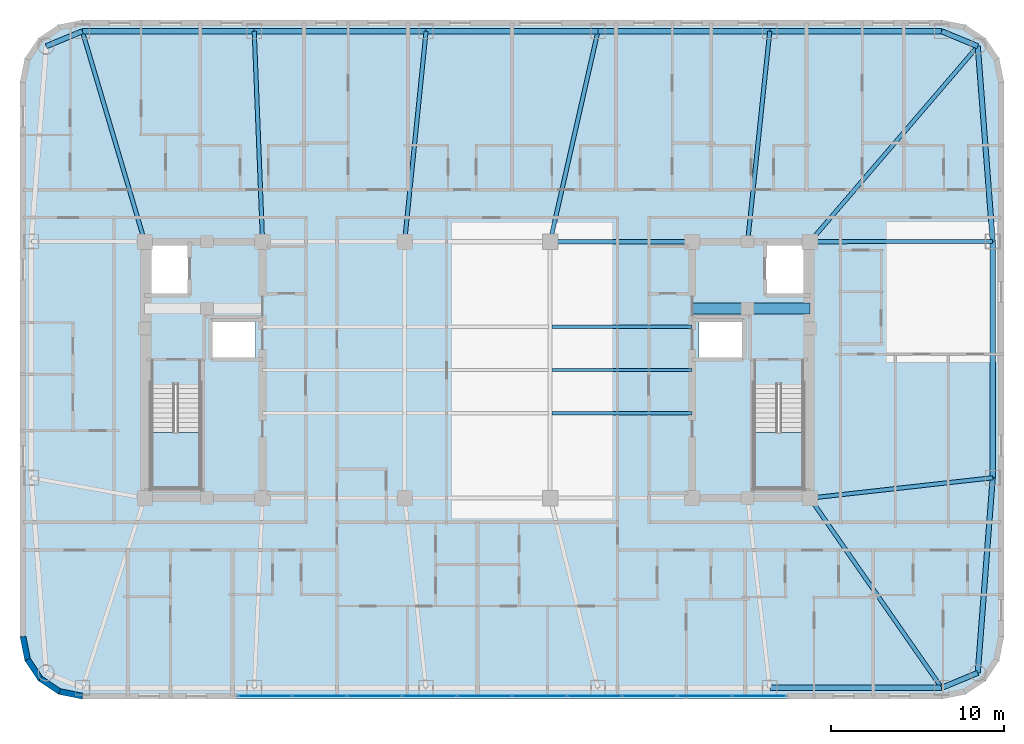
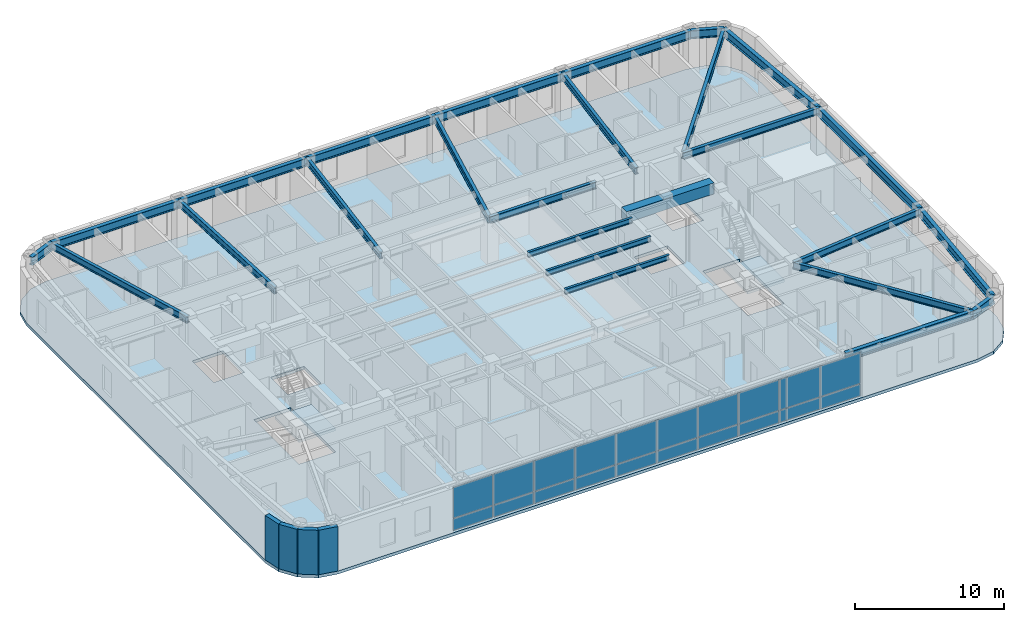
# One storey, part 7 of 16: 26 beams, 20 plates, 4 walls, 3 slabs, 3 elements without a shape of their own.
"""IFC4 building model written with IfcOpenShell, lengths in metres."""

from ifc_helpers import new_model, si_unit, direction, frame, frame_2d, origin, origin_2d, place, context, subcontext, project, spatial, polyline, rectangle, i_section, outline, extrude, material, layer, layer_set, material_profile, profile_set, type_object, element, aggregate, save


model = new_model("IFC4")

# Units and contexts
model_context = context("Model", 3, precision=1e-05, world=origin(), true_north=direction((0.0, 1.0)))
body_context = subcontext(model_context, "Body", "Model", "MODEL_VIEW")
ifc_project = project(units=[si_unit("LENGTHUNIT", "METRE"), si_unit("AREAUNIT", "SQUARE_METRE"), si_unit("VOLUMEUNIT", "CUBIC_METRE"), si_unit("PLANEANGLEUNIT", "RADIAN"), si_unit("MASSUNIT", "GRAM", prefix="KILO")], contexts=[model_context])

# Site, building, storey
site_placement = place(None, origin())
site = spatial("IfcSite", under=ifc_project, at=site_placement, CompositionType="ELEMENT")
building_placement = place(site_placement, origin())
building = spatial("IfcBuilding", under=site, at=building_placement, Name="Voryun Gate Residences", CompositionType="ELEMENT")
storey_placement = place(building_placement, frame((0.0, 0.0, 208.0)))
storey = spatial("IfcBuildingStorey", under=building, at=storey_placement, Name="L51", CompositionType="ELEMENT", Elevation=208.0)

# Beams
ifc_material_1 = material(Name="Concrete C60/75", Category="concrete")
ifc_material_profile_1 = material_profile(ifc_material_1, rectangle(XDim=0.64990234375, YDim=0.89990234375, at=origin_2d()), Name="RC-650x900")
ifc_profile_set_1 = profile_set([ifc_material_profile_1], Name="Concrete C60/75")
beam_type_1 = type_object("IfcBeamType", Name="BM_COUP_RC900", PredefinedType="LINTEL", material=ifc_profile_set_1)
beam_1_placement = place(storey_placement, frame((12.39990234375, 3.550048828125, 3.199951171875), z_axis=(1.0, 0.0, 0.0), x_axis=(0.0, 1.0, 0.0)))
element("IfcBeam", 1, at=beam_1_placement, inside=storey, type_object=beam_type_1, Name="BM-L51-EC1", PredefinedType="LINTEL", context=body_context, shape_type="SweptSolid", body=[
    extrude(rectangle(XDim=0.64990234375, YDim=0.89990234375, at=origin_2d()), origin(), (0.0, 0.0, 1.0), 6.800048828125),
])
ifc_material_2 = material(Name="Steel SM355", Category="steel")
ifc_material_profile_2 = material_profile(ifc_material_2, i_section(OverallWidth=0.300048828125, OverallDepth=0.679931640625, WebThickness=0.013916015625, FlangeThickness=0.02490234375, FilletRadius=0.01806640625, at=origin_2d()), Name="H-680x300x14x25")
ifc_profile_set_2 = profile_set([ifc_material_profile_2], Name="Steel SM355")
beam_type_2 = type_object("IfcBeamType", Name="BM_EXO_SPANDREL_M", PredefinedType="SPANDREL", material=ifc_profile_set_2)
beam_2_placement = place(storey_placement, frame((16.8798828125, -18.35009765625, 3.31005859375), z_axis=(1.0, 0.0, 0.0), x_axis=(0.0, 1.0, 0.0)))
element("IfcBeam", 2, at=beam_2_placement, inside=storey, type_object=beam_type_2, Name="BM-L51-SPAND-05", PredefinedType="SPANDREL", context=body_context, shape_type="SweptSolid", body=[
    extrude(i_section(OverallWidth=0.300048828125, OverallDepth=0.679931640625, WebThickness=0.013916015625, FlangeThickness=0.02490234375, FilletRadius=0.01806640625, at=origin_2d()), origin(), (0.0, 0.0, 1.0), 9.920166015625),
])
beam_3_placement = place(storey_placement, frame((26.800048828125, -18.35009765625, 3.31005859375), z_axis=(0.923881087602, 0.382679678022, 0.0), x_axis=(-0.382679678022, 0.923881087602, 0.0)))
element("IfcBeam", 3, at=beam_3_placement, inside=storey, type_object=beam_type_2, Name="BM-L51-SPAND-06", PredefinedType="SPANDREL", context=body_context, shape_type="SweptSolid", body=[
    extrude(i_section(OverallWidth=0.300048828125, OverallDepth=0.679931640625, WebThickness=0.013916015625, FlangeThickness=0.02490234375, FilletRadius=0.01806640625, at=origin_2d()), origin(), (0.0, 0.0, 1.0), 2.2578125),
])
beam_4_placement = place(storey_placement, frame((28.885986328125, -17.486083984375, 3.31005859375), z_axis=(0.076480009441, 0.997071114894, 0.0), x_axis=(-0.997071114894, 0.076480009441, 0.0)))
element("IfcBeam", 4, at=beam_4_placement, inside=storey, type_object=beam_type_2, Name="BM-L51-SPAND-07", PredefinedType="SPANDREL", context=body_context, shape_type="SweptSolid", body=[
    extrude(i_section(OverallWidth=0.300048828125, OverallDepth=0.679931640625, WebThickness=0.013916015625, FlangeThickness=0.02490234375, FilletRadius=0.01806640625, at=origin_2d()), origin(), (0.0, 0.0, 1.0), 11.29736328125),
])
beam_5_placement = place(storey_placement, frame((29.75, -6.221923828125, 3.31005859375), z_axis=(0.0, 1.0, 0.0), x_axis=(-1.0, 0.0, 0.0)))
element("IfcBeam", 5, at=beam_5_placement, inside=storey, type_object=beam_type_2, Name="BM-L51-SPAND-08", PredefinedType="SPANDREL", context=body_context, shape_type="SweptSolid", body=[
    extrude(i_section(OverallWidth=0.300048828125, OverallDepth=0.679931640625, WebThickness=0.013916015625, FlangeThickness=0.02490234375, FilletRadius=0.01806640625, at=origin_2d()), origin(), (0.0, 0.0, 1.0), 13.64404296875),
])
beam_6_placement = place(storey_placement, frame((29.75, 7.422119140625, 3.31005859375), z_axis=(-0.076481657417, 0.997070988485, 0.0), x_axis=(-0.997070988485, -0.076481657417, 0.0)))
element("IfcBeam", 6, at=beam_6_placement, inside=storey, type_object=beam_type_2, Name="BM-L51-SPAND-09", PredefinedType="SPANDREL", context=body_context, shape_type="SweptSolid", body=[
    extrude(i_section(OverallWidth=0.300048828125, OverallDepth=0.679931640625, WebThickness=0.013916015625, FlangeThickness=0.02490234375, FilletRadius=0.01806640625, at=origin_2d()), origin(), (0.0, 0.0, 1.0), 11.297119140625),
])
beam_7_placement = place(storey_placement, frame((28.885986328125, 18.68603515625, 3.31005859375), z_axis=(-0.923881087602, 0.382679678022, 0.0), x_axis=(-0.382679678022, -0.923881087602, 0.0)))
element("IfcBeam", 7, at=beam_7_placement, inside=storey, type_object=beam_type_2, Name="BM-L51-SPAND-10", PredefinedType="SPANDREL", context=body_context, shape_type="SweptSolid", body=[
    extrude(i_section(OverallWidth=0.300048828125, OverallDepth=0.679931640625, WebThickness=0.013916015625, FlangeThickness=0.02490234375, FilletRadius=0.01806640625, at=origin_2d()), origin(), (0.0, 0.0, 1.0), 2.2578125),
])
beam_8_placement = place(storey_placement, frame((26.800048828125, 19.550048828125, 3.31005859375), z_axis=(-1.0, 0.0, 0.0), x_axis=(0.0, -1.0, 0.0)))
element("IfcBeam", 8, at=beam_8_placement, inside=storey, type_object=beam_type_2, Name="BM-L51-SPAND-11", PredefinedType="SPANDREL", context=body_context, shape_type="SweptSolid", body=[
    extrude(i_section(OverallWidth=0.300048828125, OverallDepth=0.679931640625, WebThickness=0.013916015625, FlangeThickness=0.02490234375, FilletRadius=0.01806640625, at=origin_2d()), origin(), (0.0, 0.0, 1.0), 9.920166015625),
])
for number, where, z_axis, x_axis, name in (
    (9, (16.8798828125, 19.550048828125, 3.31005859375), (-1.0, 0.0, 0.0), (0.0, -1.0, 0.0), "BM-L51-SPAND-12"),
    (10, (6.9599609375, 19.550048828125, 3.31005859375), (-1.0, 0.0, 0.0), (0.0, -1.0, 0.0), "BM-L51-SPAND-13"),
    (11, (-2.9599609375, 19.550048828125, 3.31005859375), (-1.0, 0.0, 0.0), (0.0, -1.0, 0.0), "BM-L51-SPAND-14"),
):
    element("IfcBeam", number, at=place(storey_placement, frame(where, z_axis=z_axis, x_axis=x_axis)), inside=storey, type_object=beam_type_2, Name=name, PredefinedType="SPANDREL", context=body_context, shape_type="SweptSolid", body=[
        extrude(i_section(OverallWidth=0.300048828125, OverallDepth=0.679931640625, WebThickness=0.013916015625, FlangeThickness=0.02490234375, FilletRadius=0.01806640625, at=origin_2d()), origin(), (0.0, 0.0, 1.0), 9.919921875),
    ])
beam_9_placement = place(storey_placement, frame((-12.8798828125, 19.550048828125, 3.31005859375), z_axis=(-1.0, 0.0, 0.0), x_axis=(0.0, -1.0, 0.0)))
element("IfcBeam", 12, at=beam_9_placement, inside=storey, type_object=beam_type_2, Name="BM-L51-SPAND-15", PredefinedType="SPANDREL", context=body_context, shape_type="SweptSolid", body=[
    extrude(i_section(OverallWidth=0.300048828125, OverallDepth=0.679931640625, WebThickness=0.013916015625, FlangeThickness=0.02490234375, FilletRadius=0.01806640625, at=origin_2d()), origin(), (0.0, 0.0, 1.0), 9.920166015625),
])
beam_10_placement = place(storey_placement, frame((-22.800048828125, 19.550048828125, 3.31005859375), z_axis=(-0.923881087602, -0.382679678022, 0.0), x_axis=(0.382679678022, -0.923881087602, 0.0)))
element("IfcBeam", 13, at=beam_10_placement, inside=storey, type_object=beam_type_2, Name="BM-L51-SPAND-16", PredefinedType="SPANDREL", context=body_context, shape_type="SweptSolid", body=[
    extrude(i_section(OverallWidth=0.300048828125, OverallDepth=0.679931640625, WebThickness=0.013916015625, FlangeThickness=0.02490234375, FilletRadius=0.01806640625, at=origin_2d()), origin(), (0.0, 0.0, 1.0), 2.2578125),
])
ifc_material_3 = material(Name="Steel SM355", Category="steel")
ifc_material_profile_3 = material_profile(ifc_material_3, i_section(OverallWidth=0.239990234375, OverallDepth=0.550048828125, WebThickness=0.011962890625, FlangeThickness=0.02001953125, FilletRadius=0.01806640625, at=origin_2d()), Name="H-550x240x12x20")
ifc_profile_set_3 = profile_set([ifc_material_profile_3], Name="Steel SM355")
beam_type_3 = type_object("IfcBeamType", Name="BM_GIRD_550", PredefinedType="USERDEFINED", material=ifc_profile_set_3)
beam_11_placement = place(storey_placement, frame((4.199951171875, 7.39990234375, 3.375), z_axis=(1.0, 0.0, 0.0), x_axis=(0.0, 1.0, 0.0)))
element("IfcBeam", 14, at=beam_11_placement, inside=storey, type_object=beam_type_3, Name="BM-L51-SPG3-N", ObjectType="GIRDER", PredefinedType="USERDEFINED", context=body_context, shape_type="SweptSolid", body=[
    extrude(i_section(OverallWidth=0.239990234375, OverallDepth=0.550048828125, WebThickness=0.011962890625, FlangeThickness=0.02001953125, FilletRadius=0.01806640625, at=origin_2d()), origin(), (0.0, 0.0, 1.0), 8.199951171875),
])
beam_12_placement = place(storey_placement, frame((19.199951171875, -7.39990234375, 3.375), z_axis=(0.570182975489, -0.821517726201, 0.0), x_axis=(0.821517726201, 0.570182975489, 0.0)))
element("IfcBeam", 15, at=beam_12_placement, inside=storey, type_object=beam_type_3, Name="BM-L51-RAD-S6", ObjectType="GIRDER", PredefinedType="USERDEFINED", context=body_context, shape_type="SweptSolid", body=[
    extrude(i_section(OverallWidth=0.239990234375, OverallDepth=0.550048828125, WebThickness=0.011962890625, FlangeThickness=0.02001953125, FilletRadius=0.01806640625, at=origin_2d()), origin(), (0.0, 0.0, 1.0), 13.329345703125),
])
beam_13_placement = place(storey_placement, frame((19.199951171875, -7.39990234375, 3.375), z_axis=(0.993824131675, 0.110966640486, 0.0), x_axis=(-0.110966640486, 0.993824131675, 0.0)))
element("IfcBeam", 16, at=beam_13_placement, inside=storey, type_object=beam_type_3, Name="BM-L51-RAD-E1", ObjectType="GIRDER", PredefinedType="USERDEFINED", context=body_context, shape_type="SweptSolid", body=[
    extrude(i_section(OverallWidth=0.239990234375, OverallDepth=0.550048828125, WebThickness=0.011962890625, FlangeThickness=0.02001953125, FilletRadius=0.01806640625, at=origin_2d()), origin(), (0.0, 0.0, 1.0), 10.61572265625),
])
beam_14_placement = place(storey_placement, frame((19.199951171875, 7.39990234375, 3.375), z_axis=(0.99999778271, 0.002105843108, 0.0), x_axis=(-0.002105843108, 0.99999778271, 0.0)))
element("IfcBeam", 17, at=beam_14_placement, inside=storey, type_object=beam_type_3, Name="BM-L51-RAD-E2", ObjectType="GIRDER", PredefinedType="USERDEFINED", context=body_context, shape_type="SweptSolid", body=[
    extrude(i_section(OverallWidth=0.239990234375, OverallDepth=0.550048828125, WebThickness=0.011962890625, FlangeThickness=0.02001953125, FilletRadius=0.01806640625, at=origin_2d()), origin(), (0.0, 0.0, 1.0), 10.550048828125),
])
beam_15_placement = place(storey_placement, frame((19.199951171875, 7.39990234375, 3.375), z_axis=(0.651264396721, 0.758850898111, 0.0), x_axis=(-0.758850898111, 0.651264396721, 0.0)))
element("IfcBeam", 18, at=beam_15_placement, inside=storey, type_object=beam_type_3, Name="BM-L51-RAD-CNE", ObjectType="GIRDER", PredefinedType="USERDEFINED", context=body_context, shape_type="SweptSolid", body=[
    extrude(i_section(OverallWidth=0.239990234375, OverallDepth=0.550048828125, WebThickness=0.011962890625, FlangeThickness=0.02001953125, FilletRadius=0.01806640625, at=origin_2d()), origin(), (0.0, 0.0, 1.0), 14.87255859375),
])
beam_16_placement = place(storey_placement, frame((15.60009765625, 7.39990234375, 3.375), z_axis=(0.104751358085, 0.994498442925, 0.0), x_axis=(-0.994498442925, 0.104751358085, 0.0)))
element("IfcBeam", 19, at=beam_16_placement, inside=storey, type_object=beam_type_3, Name="BM-L51-RAD-N2", ObjectType="GIRDER", PredefinedType="USERDEFINED", context=body_context, shape_type="SweptSolid", body=[
    extrude(i_section(OverallWidth=0.239990234375, OverallDepth=0.550048828125, WebThickness=0.011962890625, FlangeThickness=0.02001953125, FilletRadius=0.01806640625, at=origin_2d()), origin(), (0.0, 0.0, 1.0), 12.21728515625),
])
beam_17_placement = place(storey_placement, frame((4.199951171875, 7.39990234375, 3.375), z_axis=(0.221515238368, 0.975156910026, 0.0), x_axis=(-0.975156910026, 0.221515238368, 0.0)))
element("IfcBeam", 20, at=beam_17_placement, inside=storey, type_object=beam_type_3, Name="BM-L51-RAD-N3", ObjectType="GIRDER", PredefinedType="USERDEFINED", context=body_context, shape_type="SweptSolid", body=[
    extrude(i_section(OverallWidth=0.239990234375, OverallDepth=0.550048828125, WebThickness=0.011962890625, FlangeThickness=0.02001953125, FilletRadius=0.01806640625, at=origin_2d()), origin(), (0.0, 0.0, 1.0), 12.459716796875),
])
beam_18_placement = place(storey_placement, frame((-4.199951171875, 7.39990234375, 3.375), z_axis=(0.101528223047, 0.994832659257, 0.0), x_axis=(-0.994832659257, 0.101528223047, 0.0)))
element("IfcBeam", 21, at=beam_18_placement, inside=storey, type_object=beam_type_3, Name="BM-L51-RAD-N4", ObjectType="GIRDER", PredefinedType="USERDEFINED", context=body_context, shape_type="SweptSolid", body=[
    extrude(i_section(OverallWidth=0.239990234375, OverallDepth=0.550048828125, WebThickness=0.011962890625, FlangeThickness=0.02001953125, FilletRadius=0.01806640625, at=origin_2d()), origin(), (0.0, 0.0, 1.0), 12.213134765625),
])
beam_19_placement = place(storey_placement, frame((-12.39990234375, 7.39990234375, 3.375), z_axis=(-0.039473300578, 0.999220625558, 0.0), x_axis=(-0.999220625558, -0.039473300578, 0.0)))
element("IfcBeam", 22, at=beam_19_placement, inside=storey, type_object=beam_type_3, Name="BM-L51-RAD-N5", ObjectType="GIRDER", PredefinedType="USERDEFINED", context=body_context, shape_type="SweptSolid", body=[
    extrude(i_section(OverallWidth=0.239990234375, OverallDepth=0.550048828125, WebThickness=0.011962890625, FlangeThickness=0.02001953125, FilletRadius=0.01806640625, at=origin_2d()), origin(), (0.0, 0.0, 1.0), 12.15966796875),
])
beam_20_placement = place(storey_placement, frame((-19.199951171875, 7.39990234375, 3.375), z_axis=(-0.284092265434, 0.958796946553, 0.0), x_axis=(-0.958796946553, -0.284092265434, 0.0)))
element("IfcBeam", 23, at=beam_20_placement, inside=storey, type_object=beam_type_3, Name="BM-L51-RAD-N6", ObjectType="GIRDER", PredefinedType="USERDEFINED", context=body_context, shape_type="SweptSolid", body=[
    extrude(i_section(OverallWidth=0.239990234375, OverallDepth=0.550048828125, WebThickness=0.011962890625, FlangeThickness=0.02001953125, FilletRadius=0.01806640625, at=origin_2d()), origin(), (0.0, 0.0, 1.0), 12.67236328125),
])
ifc_material_4 = material(Name="Steel SM355", Category="steel")
ifc_material_profile_4 = material_profile(ifc_material_4, i_section(OverallWidth=0.18994140625, OverallDepth=0.419921875, WebThickness=0.009033203125, FlangeThickness=0.01611328125, FilletRadius=0.01806640625, at=origin_2d()), Name="H-420x190x9x16")
ifc_profile_set_4 = profile_set([ifc_material_profile_4], Name="Steel SM355")
beam_type_4 = type_object("IfcBeamType", Name="BM_SEC_420", PredefinedType="BEAM", material=ifc_profile_set_4)
for number, where, z_axis, x_axis, name in (
    (24, (4.300048828125, -2.5, 3.43994140625), (1.0, 0.0, 0.0), (0.0, 1.0, 0.0), "BM-L51-SEC-CS3"),
    (25, (4.300048828125, 0.0, 3.43994140625), (1.0, 0.0, 0.0), (0.0, 1.0, 0.0), "BM-L51-SEC-CM3"),
    (26, (4.300048828125, 2.5, 3.43994140625), (1.0, 0.0, 0.0), (0.0, 1.0, 0.0), "BM-L51-SEC-CN3"),
):
    element("IfcBeam", number, at=place(storey_placement, frame(where, z_axis=z_axis, x_axis=x_axis)), inside=storey, type_object=beam_type_4, Name=name, PredefinedType="BEAM", context=body_context, shape_type="SweptSolid", body=[
        extrude(i_section(OverallWidth=0.18994140625, OverallDepth=0.419921875, WebThickness=0.009033203125, FlangeThickness=0.01611328125, FilletRadius=0.01806640625, at=origin_2d()), origin(), (0.0, 0.0, 1.0), 8.099853515625),
    ])

# Curtain wall, plates
ifc_material_5 = material(Name="Anodised aluminium", Category="aluminium")
ifc_layer_1 = layer(ifc_material_5, 0.2099609375, Name="CW_SYS_SKYGARDEN_DARK_GLASS")
ifc_layer_set_1 = layer_set([ifc_layer_1], Name="Anodised aluminium")
curtain_wall_type = type_object("IfcCurtainWallType", Name="CW_SYS_SKYGARDEN_DARK_GLASS", PredefinedType="NOTDEFINED", material=ifc_layer_set_1)
curtain_wall_placement = place(storey_placement, origin())
curtain_wall = element("IfcCurtainWall", 27, at=curtain_wall_placement, inside=storey, type_object=curtain_wall_type, Name="Curtain wall CW5-L51-SG-01", PredefinedType="NOTDEFINED")
ifc_material_6 = material(Name="Laminated low-E glass", Category="glass")
ifc_layer_2 = layer(ifc_material_6, 0.0458984375, Name="PLT_GLASS_DARK_SKY")
ifc_layer_set_2 = layer_set([ifc_layer_2], Name="Laminated low-E glass")
plate_type = type_object("IfcPlateType", Name="PLT_GLASS_DARK_SKY", PredefinedType="CURTAIN_PANEL", material=ifc_layer_set_2)
plate_1_placement = place(storey_placement, frame((16.26025390625, -18.830078125, 0.06005859375), z_axis=(0.0, 0.0, 1.0), x_axis=(-1.0, 0.0, 0.0)))
plate_1 = element("IfcPlate", 28, at=plate_1_placement, type_object=plate_type, Name="CW5 panel 1.1", PredefinedType="CURTAIN_PANEL", context=body_context, shape_type="SweptSolid", body=[
    extrude(rectangle(XDim=3.082275390625, YDim=0.028076171875, at=origin_2d()), origin(), (0.0, 0.0, 1.0), 0.9599609375),
])
plate_2_placement = place(storey_placement, frame((16.26025390625, -18.830078125, 1.080078125), z_axis=(0.0, 0.0, 1.0), x_axis=(-1.0, 0.0, 0.0)))
plate_2 = element("IfcPlate", 29, at=plate_2_placement, type_object=plate_type, Name="CW5 panel 1.2", PredefinedType="CURTAIN_PANEL", context=body_context, shape_type="SweptSolid", body=[
    extrude(rectangle(XDim=3.082275390625, YDim=0.028076171875, at=origin_2d()), origin(), (0.0, 0.0, 1.0), 2.510009765625),
])
plate_3_placement = place(storey_placement, frame((13.10302734375, -18.830078125, 0.06005859375), z_axis=(0.0, 0.0, 1.0), x_axis=(-1.0, 0.0, 0.0)))
plate_3 = element("IfcPlate", 30, at=plate_3_placement, type_object=plate_type, Name="CW5 panel 2.1", PredefinedType="CURTAIN_PANEL", context=body_context, shape_type="SweptSolid", body=[
    extrude(rectangle(XDim=3.1123046875, YDim=0.028076171875, at=origin_2d()), origin(), (0.0, 0.0, 1.0), 0.9599609375),
])
plate_4_placement = place(storey_placement, frame((13.10302734375, -18.830078125, 1.080078125), z_axis=(0.0, 0.0, 1.0), x_axis=(-1.0, 0.0, 0.0)))
plate_4 = element("IfcPlate", 31, at=plate_4_placement, type_object=plate_type, Name="CW5 panel 2.2", PredefinedType="CURTAIN_PANEL", context=body_context, shape_type="SweptSolid", body=[
    extrude(rectangle(XDim=3.1123046875, YDim=0.028076171875, at=origin_2d()), origin(), (0.0, 0.0, 1.0), 2.510009765625),
])
plate_5_placement = place(storey_placement, frame((9.9306640625, -18.830078125, 0.06005859375), z_axis=(0.0, 0.0, 1.0), x_axis=(-1.0, 0.0, 0.0)))
plate_5 = element("IfcPlate", 32, at=plate_5_placement, type_object=plate_type, Name="CW5 panel 3.1", PredefinedType="CURTAIN_PANEL", context=body_context, shape_type="SweptSolid", body=[
    extrude(rectangle(XDim=3.1123046875, YDim=0.028076171875, at=origin_2d()), origin(), (0.0, 0.0, 1.0), 0.9599609375),
])
plate_6_placement = place(storey_placement, frame((9.9306640625, -18.830078125, 1.080078125), z_axis=(0.0, 0.0, 1.0), x_axis=(-1.0, 0.0, 0.0)))
plate_6 = element("IfcPlate", 33, at=plate_6_placement, type_object=plate_type, Name="CW5 panel 3.2", PredefinedType="CURTAIN_PANEL", context=body_context, shape_type="SweptSolid", body=[
    extrude(rectangle(XDim=3.1123046875, YDim=0.028076171875, at=origin_2d()), origin(), (0.0, 0.0, 1.0), 2.510009765625),
])
plate_7_placement = place(storey_placement, frame((6.75830078125, -18.830078125, 0.06005859375), z_axis=(0.0, 0.0, 1.0), x_axis=(-1.0, 0.0, 0.0)))
plate_7 = element("IfcPlate", 34, at=plate_7_placement, type_object=plate_type, Name="CW5 panel 4.1", PredefinedType="CURTAIN_PANEL", context=body_context, shape_type="SweptSolid", body=[
    extrude(rectangle(XDim=3.1123046875, YDim=0.028076171875, at=origin_2d()), origin(), (0.0, 0.0, 1.0), 0.9599609375),
])
plate_8_placement = place(storey_placement, frame((6.75830078125, -18.830078125, 1.080078125), z_axis=(0.0, 0.0, 1.0), x_axis=(-1.0, 0.0, 0.0)))
plate_8 = element("IfcPlate", 35, at=plate_8_placement, type_object=plate_type, Name="CW5 panel 4.2", PredefinedType="CURTAIN_PANEL", context=body_context, shape_type="SweptSolid", body=[
    extrude(rectangle(XDim=3.1123046875, YDim=0.028076171875, at=origin_2d()), origin(), (0.0, 0.0, 1.0), 2.510009765625),
])
plate_9_placement = place(storey_placement, frame((3.586181640625, -18.830078125, 0.06005859375), z_axis=(0.0, 0.0, 1.0), x_axis=(-1.0, 0.0, 0.0)))
plate_9 = element("IfcPlate", 36, at=plate_9_placement, type_object=plate_type, Name="CW5 panel 5.1", PredefinedType="CURTAIN_PANEL", context=body_context, shape_type="SweptSolid", body=[
    extrude(rectangle(XDim=3.1123046875, YDim=0.028076171875, at=origin_2d()), origin(), (0.0, 0.0, 1.0), 0.9599609375),
])
plate_10_placement = place(storey_placement, frame((3.586181640625, -18.830078125, 1.080078125), z_axis=(0.0, 0.0, 1.0), x_axis=(-1.0, 0.0, 0.0)))
plate_10 = element("IfcPlate", 37, at=plate_10_placement, type_object=plate_type, Name="CW5 panel 5.2", PredefinedType="CURTAIN_PANEL", context=body_context, shape_type="SweptSolid", body=[
    extrude(rectangle(XDim=3.1123046875, YDim=0.028076171875, at=origin_2d()), origin(), (0.0, 0.0, 1.0), 2.510009765625),
])
plate_11_placement = place(storey_placement, frame((0.413818359375, -18.830078125, 0.06005859375), z_axis=(0.0, 0.0, 1.0), x_axis=(-1.0, 0.0, 0.0)))
plate_11 = element("IfcPlate", 38, at=plate_11_placement, type_object=plate_type, Name="CW5 panel 6.1", PredefinedType="CURTAIN_PANEL", context=body_context, shape_type="SweptSolid", body=[
    extrude(rectangle(XDim=3.1123046875, YDim=0.028076171875, at=origin_2d()), origin(), (0.0, 0.0, 1.0), 0.9599609375),
])
plate_12_placement = place(storey_placement, frame((0.413818359375, -18.830078125, 1.080078125), z_axis=(0.0, 0.0, 1.0), x_axis=(-1.0, 0.0, 0.0)))
plate_12 = element("IfcPlate", 39, at=plate_12_placement, type_object=plate_type, Name="CW5 panel 6.2", PredefinedType="CURTAIN_PANEL", context=body_context, shape_type="SweptSolid", body=[
    extrude(rectangle(XDim=3.1123046875, YDim=0.028076171875, at=origin_2d()), origin(), (0.0, 0.0, 1.0), 2.510009765625),
])
plate_13_placement = place(storey_placement, frame((-2.75830078125, -18.830078125, 0.06005859375), z_axis=(0.0, 0.0, 1.0), x_axis=(-1.0, 0.0, 0.0)))
plate_13 = element("IfcPlate", 40, at=plate_13_placement, type_object=plate_type, Name="CW5 panel 7.1", PredefinedType="CURTAIN_PANEL", context=body_context, shape_type="SweptSolid", body=[
    extrude(rectangle(XDim=3.1123046875, YDim=0.028076171875, at=origin_2d()), origin(), (0.0, 0.0, 1.0), 0.9599609375),
])
plate_14_placement = place(storey_placement, frame((-2.75830078125, -18.830078125, 1.080078125), z_axis=(0.0, 0.0, 1.0), x_axis=(-1.0, 0.0, 0.0)))
plate_14 = element("IfcPlate", 41, at=plate_14_placement, type_object=plate_type, Name="CW5 panel 7.2", PredefinedType="CURTAIN_PANEL", context=body_context, shape_type="SweptSolid", body=[
    extrude(rectangle(XDim=3.1123046875, YDim=0.028076171875, at=origin_2d()), origin(), (0.0, 0.0, 1.0), 2.510009765625),
])
plate_15_placement = place(storey_placement, frame((-5.9306640625, -18.830078125, 0.06005859375), z_axis=(0.0, 0.0, 1.0), x_axis=(-1.0, 0.0, 0.0)))
plate_15 = element("IfcPlate", 42, at=plate_15_placement, type_object=plate_type, Name="CW5 panel 8.1", PredefinedType="CURTAIN_PANEL", context=body_context, shape_type="SweptSolid", body=[
    extrude(rectangle(XDim=3.1123046875, YDim=0.028076171875, at=origin_2d()), origin(), (0.0, 0.0, 1.0), 0.9599609375),
])
plate_16_placement = place(storey_placement, frame((-5.9306640625, -18.830078125, 1.080078125), z_axis=(0.0, 0.0, 1.0), x_axis=(-1.0, 0.0, 0.0)))
plate_16 = element("IfcPlate", 43, at=plate_16_placement, type_object=plate_type, Name="CW5 panel 8.2", PredefinedType="CURTAIN_PANEL", context=body_context, shape_type="SweptSolid", body=[
    extrude(rectangle(XDim=3.1123046875, YDim=0.028076171875, at=origin_2d()), origin(), (0.0, 0.0, 1.0), 2.510009765625),
])
plate_17_placement = place(storey_placement, frame((-9.10302734375, -18.830078125, 0.06005859375), z_axis=(0.0, 0.0, 1.0), x_axis=(-1.0, 0.0, 0.0)))
plate_17 = element("IfcPlate", 44, at=plate_17_placement, type_object=plate_type, Name="CW5 panel 9.1", PredefinedType="CURTAIN_PANEL", context=body_context, shape_type="SweptSolid", body=[
    extrude(rectangle(XDim=3.1123046875, YDim=0.028076171875, at=origin_2d()), origin(), (0.0, 0.0, 1.0), 0.9599609375),
])
plate_18_placement = place(storey_placement, frame((-9.10302734375, -18.830078125, 1.080078125), z_axis=(0.0, 0.0, 1.0), x_axis=(-1.0, 0.0, 0.0)))
plate_18 = element("IfcPlate", 45, at=plate_18_placement, type_object=plate_type, Name="CW5 panel 9.2", PredefinedType="CURTAIN_PANEL", context=body_context, shape_type="SweptSolid", body=[
    extrude(rectangle(XDim=3.1123046875, YDim=0.028076171875, at=origin_2d()), origin(), (0.0, 0.0, 1.0), 2.510009765625),
])
plate_19_placement = place(storey_placement, frame((-12.26025390625, -18.830078125, 0.06005859375), z_axis=(0.0, 0.0, 1.0), x_axis=(-1.0, 0.0, 0.0)))
plate_19 = element("IfcPlate", 46, at=plate_19_placement, type_object=plate_type, Name="CW5 panel 10.1", PredefinedType="CURTAIN_PANEL", context=body_context, shape_type="SweptSolid", body=[
    extrude(rectangle(XDim=3.082275390625, YDim=0.028076171875, at=origin_2d()), origin(), (0.0, 0.0, 1.0), 0.9599609375),
])
plate_20_placement = place(storey_placement, frame((-12.26025390625, -18.830078125, 1.080078125), z_axis=(0.0, 0.0, 1.0), x_axis=(-1.0, 0.0, 0.0)))
plate_20 = element("IfcPlate", 47, at=plate_20_placement, type_object=plate_type, Name="CW5 panel 10.2", PredefinedType="CURTAIN_PANEL", context=body_context, shape_type="SweptSolid", body=[
    extrude(rectangle(XDim=3.082275390625, YDim=0.028076171875, at=origin_2d()), origin(), (0.0, 0.0, 1.0), 2.510009765625),
])
aggregate(curtain_wall, [plate_1, plate_2, plate_3, plate_4, plate_5, plate_6, plate_7, plate_8, plate_9, plate_10, plate_11, plate_12, plate_13, plate_14, plate_15, plate_16, plate_17, plate_18, plate_19, plate_20])

# Slab
ifc_material_7 = material(Name="Concrete C40/50", Category="concrete")
ifc_layer_3 = layer(ifc_material_7, 0.25, Name="SLB_RES_250")
ifc_layer_set_3 = layer_set([ifc_layer_3], Name="Concrete C40/50")
slab_type_1 = type_object("IfcSlabType", Name="SLB_RES_250", PredefinedType="FLOOR", material=ifc_layer_set_3)
slab_1_placement = place(storey_placement, frame((0.0, 0.0, -0.25)))
element("IfcSlab", 48, at=slab_1_placement, inside=storey, type_object=slab_type_1, Name="L51 Structural Floor Slab", PredefinedType="FLOOR", context=body_context, shape_type="SweptSolid", body=[
    extrude(outline(polyline([(-22.800048828125, -19.0), (-24.177734375, -18.72607421875), (-25.345458984375, -17.945556640625), (-26.1259765625, -16.777587890625), (-26.39990234375, -15.39990234375), (-26.39990234375, 16.60009765625), (-26.1259765625, 17.9775390625), (-25.345458984375, 19.1455078125), (-24.177734375, 19.926025390625), (-22.800048828125, 20.199951171875), (26.800048828125, 20.199951171875), (28.177734375, 19.926025390625), (29.345458984375, 19.1455078125), (30.1259765625, 17.9775390625), (30.39990234375, 16.60009765625), (30.39990234375, -15.39990234375), (30.1259765625, -16.777587890625), (29.345458984375, -17.945556640625), (28.177734375, -18.72607421875), (26.800048828125, -19.0), (-22.800048828125, -19.0)]), holes=[polyline([(-15.97509765625, -0.840087890625), (-18.824951171875, -0.840087890625), (-18.824951171875, -6.85009765625), (-15.97509765625, -6.85009765625), (-15.97509765625, -0.840087890625)]), polyline([(18.824951171875, -6.85009765625), (18.824951171875, -0.840087890625), (15.97509765625, -0.840087890625), (15.97509765625, -6.85009765625), (18.824951171875, -6.85009765625)]), polyline([(-12.800048828125, 2.89990234375), (-15.39990234375, 2.89990234375), (-15.39990234375, 0.60009765625), (-12.800048828125, 0.60009765625), (-12.800048828125, 2.89990234375)]), polyline([(12.800048828125, 2.89990234375), (12.800048828125, 0.60009765625), (15.39990234375, 0.60009765625), (15.39990234375, 2.89990234375), (12.800048828125, 2.89990234375)]), polyline([(-16.60009765625, 7.199951171875), (-19.0, 7.199951171875), (-19.0, 4.300048828125), (-16.60009765625, 4.300048828125), (-16.60009765625, 7.199951171875)]), polyline([(19.0, 7.199951171875), (16.60009765625, 7.199951171875), (16.60009765625, 4.300048828125), (19.0, 4.300048828125), (19.0, 7.199951171875)])]), origin(), (0.0, 0.0, 1.0), 0.25),
])

# Stair, slab
ifc_material_8 = material(Name="Concrete C40/50", Category="concrete")
stair_type = type_object("IfcStairType", Name="STR_CORE_DOGLEG_1350", PredefinedType="HALF_TURN_STAIR", material=ifc_material_8)
stair_1_placement = place(storey_placement, origin())
stair_1 = element("IfcStair", 49, at=stair_1_placement, inside=storey, type_object=stair_type, Name="L51 Special Escape Stair ST-W1", PredefinedType="HALF_TURN_STAIR")
ifc_material_9 = material(Name="Concrete C40/50", Category="concrete")
ifc_layer_4 = layer(ifc_material_9, 0.199951171875, Name="SLB_STAIR_LANDING_200")
ifc_layer_set_4 = layer_set([ifc_layer_4], Name="Concrete C40/50")
slab_type_2 = type_object("IfcSlabType", Name="SLB_STAIR_LANDING_200", PredefinedType="LANDING", material=ifc_layer_set_4)
slab_2_placement = place(storey_placement, frame((0.0, 0.0, 1.75)))
slab_2 = element("IfcSlab", 50, at=slab_2_placement, type_object=slab_type_2, Name="ST-W1 landing 1", PredefinedType="LANDING", context=body_context, shape_type="SweptSolid", body=[
    extrude(outline(polyline([(-18.824951171875, -3.60009765625), (-18.824951171875, -6.85009765625), (-15.97509765625, -6.85009765625), (-15.97509765625, -3.60009765625), (-18.824951171875, -3.60009765625)])), origin(), (0.0, 0.0, 1.0), 0.199951171875),
])
aggregate(stair_1, [slab_2])

stair_2_placement = place(storey_placement, origin())
stair_2 = element("IfcStair", 51, at=stair_2_placement, inside=storey, type_object=stair_type, Name="L51 Special Escape Stair ST-E1", PredefinedType="HALF_TURN_STAIR")
slab_3_placement = place(storey_placement, frame((0.0, 0.0, 1.75)))
slab_3 = element("IfcSlab", 52, at=slab_3_placement, type_object=slab_type_2, Name="ST-E1 landing 1", PredefinedType="LANDING", context=body_context, shape_type="SweptSolid", body=[
    extrude(outline(polyline([(15.97509765625, -3.60009765625), (15.97509765625, -6.85009765625), (18.824951171875, -6.85009765625), (18.824951171875, -3.60009765625), (15.97509765625, -3.60009765625)])), origin(), (0.0, 0.0, 1.0), 0.199951171875),
])
aggregate(stair_2, [slab_3])

# Walls
ifc_material_10 = material(Name="Charcoal terracotta masonry", Category="masonry")
ifc_layer_5 = layer(ifc_material_10, 0.340087890625, Name="W_EXT_TERRACOTTA_340")
ifc_layer_set_5 = layer_set([ifc_layer_5], Name="Charcoal terracotta masonry")
wall_type = type_object("IfcWallType", Name="W_EXT_TERRACOTTA_340", PredefinedType="ELEMENTEDWALL", material=ifc_layer_set_5)
wall_1_placement = place(storey_placement, frame((-22.783203125, -18.830078125, 0.0), z_axis=(0.0, 0.0, 1.0), x_axis=(-0.980788153188, 0.195075878998, 0.0)))
element("IfcWall", 53, at=wall_1_placement, inside=storey, type_object=wall_type, Name="Exterior wall WEXT-L51-02", PredefinedType="ELEMENTEDWALL", context=body_context, shape_type="SweptSolid", body=[
    extrude(rectangle(XDim=1.354248046875, YDim=0.340087890625, at=frame_2d((0.67724609375, 0.0))), origin(), (0.0, 0.0, 1.0), 3.64990234375),
])
wall_2_placement = place(storey_placement, frame((-24.111328125, -18.56591796875, 0.0), z_axis=(0.0, 0.0, 1.0), x_axis=(-0.831403586725, 0.555669034571, 0.0)))
element("IfcWall", 54, at=wall_2_placement, inside=storey, type_object=wall_type, Name="Exterior wall WEXT-L51-03", PredefinedType="ELEMENTEDWALL", context=body_context, shape_type="SweptSolid", body=[
    extrude(rectangle(XDim=1.3369140625, YDim=0.340087890625, at=frame_2d((0.66845703125, 0.0))), origin(), (0.0, 0.0, 1.0), 3.64990234375),
])
wall_3_placement = place(storey_placement, frame((-25.222900390625, -17.822998046875, 0.0), z_axis=(0.0, 0.0, 1.0), x_axis=(-0.555584683399, 0.831459956686, 0.0)))
element("IfcWall", 55, at=wall_3_placement, inside=storey, type_object=wall_type, Name="Exterior wall WEXT-L51-04", PredefinedType="ELEMENTEDWALL", context=body_context, shape_type="SweptSolid", body=[
    extrude(rectangle(XDim=1.337158203125, YDim=0.340087890625, at=frame_2d((0.66845703125, 0.0))), origin(), (0.0, 0.0, 1.0), 3.64990234375),
])
wall_4_placement = place(storey_placement, frame((-25.9658203125, -16.711181640625, 0.0), z_axis=(0.0, 0.0, 1.0), x_axis=(-0.195110379894, 0.98078129043, 0.0)))
element("IfcWall", 56, at=wall_4_placement, inside=storey, type_object=wall_type, Name="Exterior wall WEXT-L51-05", PredefinedType="ELEMENTEDWALL", context=body_context, shape_type="SweptSolid", body=[
    extrude(rectangle(XDim=1.35400390625, YDim=0.340087890625, at=frame_2d((0.677001953125, 0.0))), origin(), (0.0, 0.0, 1.0), 3.64990234375),
])

save(model, "model.ifc")
